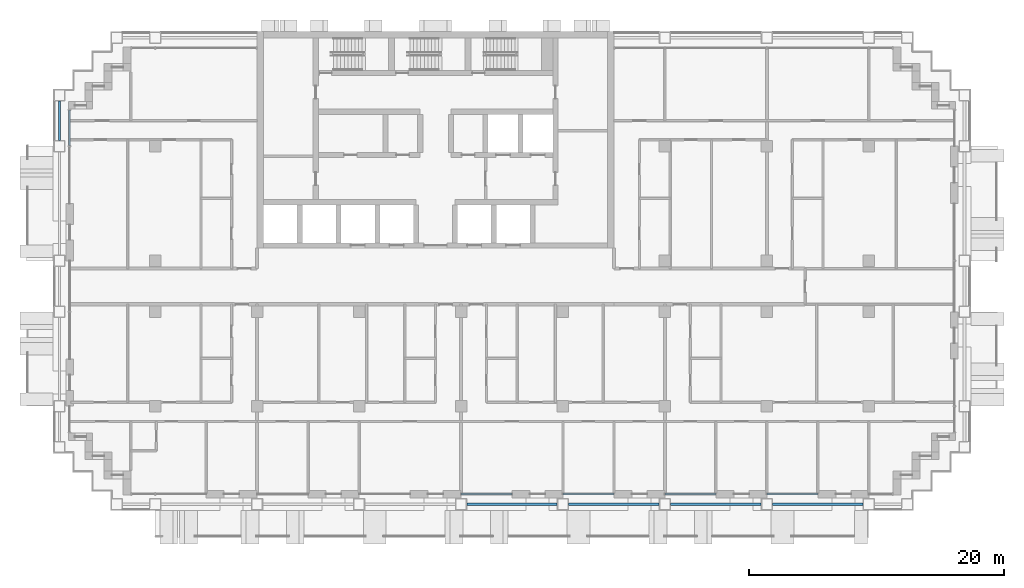
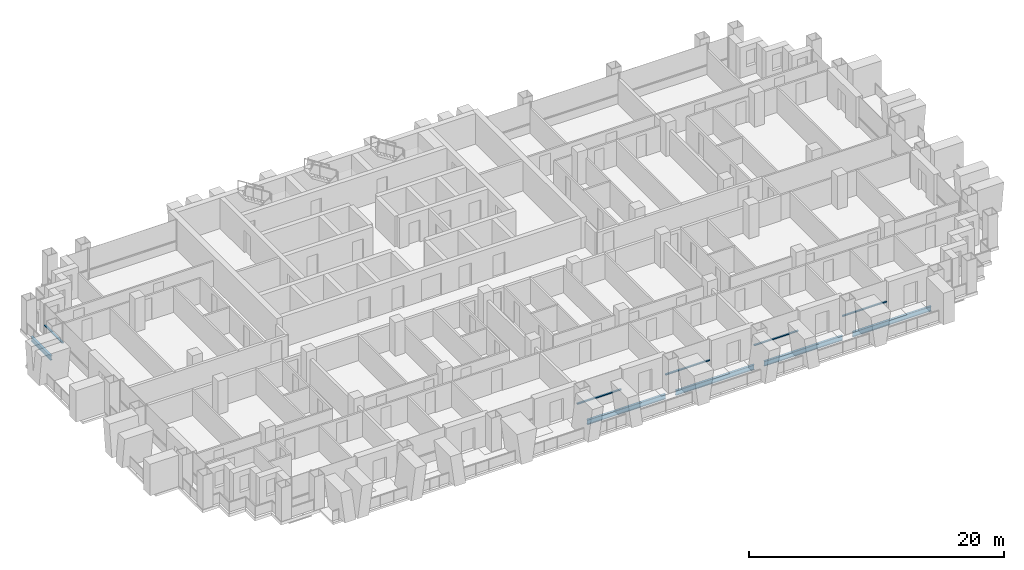
# One storey, part 3 of 18: 5 beams, 5 members, 5 elements without a shape of their own.
"""IFC4 building model written with IfcOpenShell, lengths in metres."""

from ifc_helpers import new_model, si_unit, direction, frame, origin, origin_2d, place, context, subcontext, project, spatial, rectangle, i_section, extrude, material, material_profile, profile_set, type_object, element, aggregate, save


model = new_model("IFC4")

# Units and contexts
model_context = context("Model", 3, precision=1e-05, world=origin(), true_north=direction((0.0, 1.0)))
body_context = subcontext(model_context, "Body", "Model", "MODEL_VIEW")
ifc_project = project(units=[si_unit("LENGTHUNIT", "METRE"), si_unit("AREAUNIT", "SQUARE_METRE"), si_unit("VOLUMEUNIT", "CUBIC_METRE"), si_unit("PLANEANGLEUNIT", "RADIAN"), si_unit("MASSUNIT", "GRAM", prefix="KILO")], contexts=[model_context])

# Site, building, storey
site_placement = place(None, origin())
site = spatial("IfcSite", under=ifc_project, at=site_placement, CompositionType="ELEMENT")
building_placement = place(site_placement, origin())
building = spatial("IfcBuilding", under=site, at=building_placement, Name="Vidyagriha Tower", CompositionType="ELEMENT")
storey_placement = place(building_placement, frame((0.0, 0.0, 93.5)))
storey = spatial("IfcBuildingStorey", under=building, at=storey_placement, Name="L24", CompositionType="ELEMENT", Elevation=93.5)

# Beams
ifc_material_1 = material(Name="Steel ASTM A992 Grade 50", Category="steel")
ifc_material_profile_1 = material_profile(ifc_material_1, i_section(OverallWidth=0.19189453125, OverallDepth=0.46240234375, WebThickness=0.010498046875, FlangeThickness=0.017578125, at=origin_2d()), Name="W18X60")
ifc_profile_set_1 = profile_set([ifc_material_profile_1], Name="Steel ASTM A992 Grade 50")
beam_type = type_object("IfcBeamType", Name="Edge beam W18X60", PredefinedType="SPANDREL", material=ifc_profile_set_1)
for number, where, z_axis, x_axis, name in (
    (1, (2.449951171875, -17.10009765625, -0.51123046875), (1.0, 0.0, 0.0), (0.0, 1.0, 0.0), "st-beam-L24-S05"),
    (2, (10.449951171875, -17.10009765625, -0.51123046875), (1.0, 0.0, 0.0), (0.0, 1.0, 0.0), "st-beam-L24-S06"),
    (3, (18.449951171875, -17.10009765625, -0.51123046875), (1.0, 0.0, 0.0), (0.0, 1.0, 0.0), "st-beam-L24-S07"),
    (4, (26.449951171875, -17.10009765625, -0.51123046875), (1.0, 0.0, 0.0), (0.0, 1.0, 0.0), "st-beam-L24-S08"),
):
    element("IfcBeam", number, at=place(storey_placement, frame(where, z_axis=z_axis, x_axis=x_axis)), inside=storey, type_object=beam_type, Name=name, PredefinedType="SPANDREL", context=body_context, shape_type="SweptSolid", body=[
        extrude(i_section(OverallWidth=0.19189453125, OverallDepth=0.46240234375, WebThickness=0.010498046875, FlangeThickness=0.017578125, at=origin_2d()), origin(), (0.0, 0.0, 1.0), 7.10009765625),
    ])
beam_placement = place(storey_placement, frame((-29.5, 11.449951171875, -0.51123046875), z_axis=(0.0, 1.0, 0.0), x_axis=(-1.0, 0.0, 0.0)))
element("IfcBeam", 5, at=beam_placement, inside=storey, type_object=beam_type, Name="st-beam-L24-W14", PredefinedType="SPANDREL", context=body_context, shape_type="SweptSolid", body=[
    extrude(i_section(OverallWidth=0.19189453125, OverallDepth=0.46240234375, WebThickness=0.010498046875, FlangeThickness=0.017578125, at=origin_2d()), origin(), (0.0, 0.0, 1.0), 3.10009765625),
])

# Curtain wall, member
ifc_material_2 = material(Name="Aluminium and glass curtain wall", Category="aluminium")
curtain_wall_type = type_object("IfcCurtainWallType", Name="Dwelling skin unitised curtain wall", PredefinedType="USERDEFINED", material=ifc_material_2)
curtain_wall_1_placement = place(storey_placement, origin())
curtain_wall_1 = element("IfcCurtainWall", 6, at=curtain_wall_1_placement, inside=storey, type_object=curtain_wall_type, Name="CW1 dwelling skin", ObjectType="UNITISED", PredefinedType="USERDEFINED")
ifc_material_3 = material(Name="Aluminium black anodised", Category="aluminium")
ifc_material_profile_2 = material_profile(ifc_material_3, rectangle(XDim=0.159912109375, YDim=0.10009765625, at=origin_2d()), Name="Transom 100x160 black aluminium")
ifc_profile_set_2 = profile_set([ifc_material_profile_2], Name="Aluminium black anodised")
member_type = type_object("IfcMemberType", Name="Transom 100x160 black aluminium", PredefinedType="USERDEFINED", material=ifc_profile_set_2)
member_1_placement = place(storey_placement, frame((-28.699951171875, 13.830078125, 0.89990234375), z_axis=(0.0, -1.0, 0.0), x_axis=(1.0, 0.0, 0.0)))
member_1 = element("IfcMember", 7, at=member_1_placement, type_object=member_type, Name="CW1 transom 1.1", ObjectType="TRANSOM", PredefinedType="USERDEFINED", context=body_context, shape_type="SweptSolid", body=[
    extrude(rectangle(XDim=0.159912109375, YDim=0.10009765625, at=origin_2d()), origin(), (0.0, 0.0, 1.0), 2.795166015625),
])
aggregate(curtain_wall_1, [member_1])

curtain_wall_2_placement = place(storey_placement, origin())
curtain_wall_2 = element("IfcCurtainWall", 8, at=curtain_wall_2_placement, inside=storey, type_object=curtain_wall_type, Name="CW1 dwelling skin", ObjectType="UNITISED", PredefinedType="USERDEFINED")
member_2_placement = place(storey_placement, frame((2.0, -16.300048828125, 0.89990234375), z_axis=(1.0, 0.0, 0.0), x_axis=(0.0, 1.0, 0.0)))
member_2 = element("IfcMember", 9, at=member_2_placement, type_object=member_type, Name="CW1 transom 1.1", ObjectType="TRANSOM", PredefinedType="USERDEFINED", context=body_context, shape_type="SweptSolid", body=[
    extrude(rectangle(XDim=0.159912109375, YDim=0.10009765625, at=origin_2d()), origin(), (0.0, 0.0, 1.0), 4.0),
])
aggregate(curtain_wall_2, [member_2])

curtain_wall_3_placement = place(storey_placement, origin())
curtain_wall_3 = element("IfcCurtainWall", 10, at=curtain_wall_3_placement, inside=storey, type_object=curtain_wall_type, Name="CW1 dwelling skin", ObjectType="UNITISED", PredefinedType="USERDEFINED")
member_3_placement = place(storey_placement, frame((10.0, -16.300048828125, 0.89990234375), z_axis=(1.0, 0.0, 0.0), x_axis=(0.0, 1.0, 0.0)))
member_3 = element("IfcMember", 11, at=member_3_placement, type_object=member_type, Name="CW1 transom 1.1", ObjectType="TRANSOM", PredefinedType="USERDEFINED", context=body_context, shape_type="SweptSolid", body=[
    extrude(rectangle(XDim=0.159912109375, YDim=0.10009765625, at=origin_2d()), origin(), (0.0, 0.0, 1.0), 4.0),
])
aggregate(curtain_wall_3, [member_3])

curtain_wall_4_placement = place(storey_placement, origin())
curtain_wall_4 = element("IfcCurtainWall", 12, at=curtain_wall_4_placement, inside=storey, type_object=curtain_wall_type, Name="CW1 dwelling skin", ObjectType="UNITISED", PredefinedType="USERDEFINED")
member_4_placement = place(storey_placement, frame((18.0, -16.300048828125, 0.89990234375), z_axis=(1.0, 0.0, 0.0), x_axis=(0.0, 1.0, 0.0)))
member_4 = element("IfcMember", 13, at=member_4_placement, type_object=member_type, Name="CW1 transom 1.1", ObjectType="TRANSOM", PredefinedType="USERDEFINED", context=body_context, shape_type="SweptSolid", body=[
    extrude(rectangle(XDim=0.159912109375, YDim=0.10009765625, at=origin_2d()), origin(), (0.0, 0.0, 1.0), 4.0),
])
aggregate(curtain_wall_4, [member_4])

curtain_wall_5_placement = place(storey_placement, origin())
curtain_wall_5 = element("IfcCurtainWall", 14, at=curtain_wall_5_placement, inside=storey, type_object=curtain_wall_type, Name="CW1 dwelling skin", ObjectType="UNITISED", PredefinedType="USERDEFINED")
member_5_placement = place(storey_placement, frame((26.0, -16.300048828125, 0.89990234375), z_axis=(1.0, 0.0, 0.0), x_axis=(0.0, 1.0, 0.0)))
member_5 = element("IfcMember", 15, at=member_5_placement, type_object=member_type, Name="CW1 transom 1.1", ObjectType="TRANSOM", PredefinedType="USERDEFINED", context=body_context, shape_type="SweptSolid", body=[
    extrude(rectangle(XDim=0.159912109375, YDim=0.10009765625, at=origin_2d()), origin(), (0.0, 0.0, 1.0), 4.0),
])
aggregate(curtain_wall_5, [member_5])

save(model, "model.ifc")
